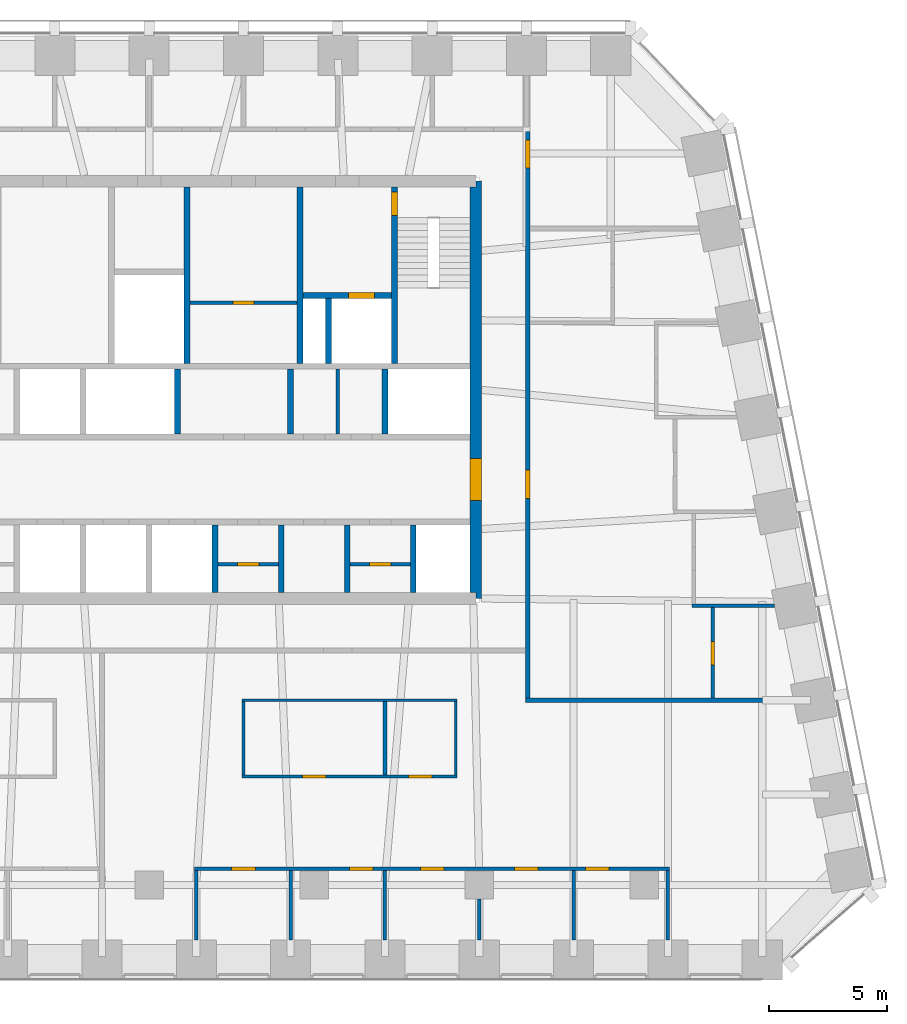
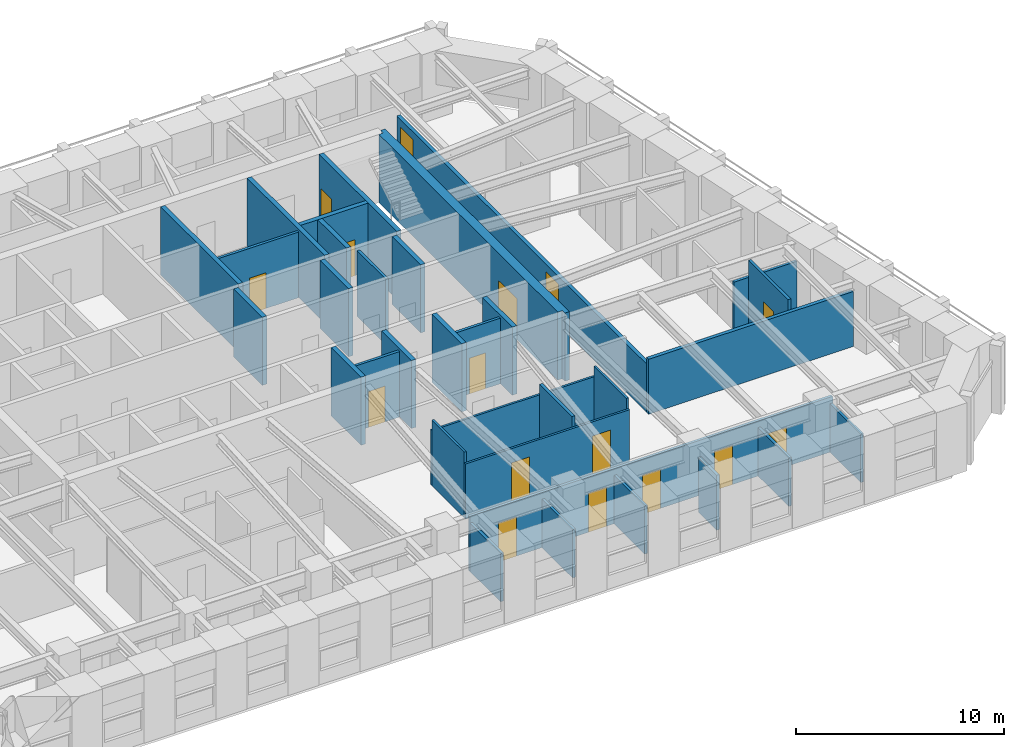
# One storey, part 7 of 11: 33 walls, 16 doors, 16 openings.
"""IFC4 building model written with IfcOpenShell, lengths in metres."""

import ifcopenshell
import ifcopenshell.guid

model = None  # the IFC model being written
_history = None  # IfcOwnerHistory: only IFC2X3 demands one
_inside = {}  # id of a spatial element -> (the spatial element, [elements in it])
_under = {}  # id of a project, library or spatial element -> (it, [spatial elements below it])
_declared = {}  # id of a project -> (the project, [libraries it declares])
_typed = {}  # id of a type object -> (the type object, [elements of that type])
_made_of = {}  # id of a material, layer set ... -> (it, [elements and type objects made of it])


def new_model(schema):
    """Start an empty IFC model of exactly this schema.

    Asked for "IFC4X3", IfcOpenShell would pick the latest addendum, in which some entities
    have other attributes; the version numbers below select the first issue.
    IFC2X3 requires an IfcOwnerHistory on every rooted entity: one is made here for all.
    """
    global model, _history
    if schema == "IFC4X3":
        model = ifcopenshell.file(schema_version=(4, 3, 0, 0))
    else:
        model = ifcopenshell.file(schema=schema)
    _inside.clear()
    _under.clear()
    _declared.clear()
    _typed.clear()
    _made_of.clear()
    _history = None
    if model.schema == "IFC2X3":
        org = make("IfcOrganization", Name="unknown")
        user = make(
            "IfcPersonAndOrganization",
            ThePerson=make("IfcPerson", FamilyName="unknown"),
            TheOrganization=org,
        )
        app = make(
            "IfcApplication",
            ApplicationDeveloper=org,
            Version="unknown",
            ApplicationFullName="unknown",
            ApplicationIdentifier="unknown",
        )
        _history = make(
            "IfcOwnerHistory",
            OwningUser=user,
            OwningApplication=app,
            ChangeAction="ADDED",
            CreationDate=0,
        )
    return model


def make(cls, **values):
    """One entity of the class cls with the attributes given. An attribute that is None is left unset."""
    return model.create_entity(
        cls, **{name: value for name, value in values.items() if value is not None}
    )


def rooted(cls, **values):
    """An entity with a GlobalId (a new one), such as an element, a storey or a relation."""
    return make(cls, GlobalId=ifcopenshell.guid.new(), OwnerHistory=_history, **values)


def si_unit(unit_type, name, prefix=None):
    """IfcSIUnit, for example si_unit("LENGTHUNIT", "METRE", prefix="MILLI")."""
    return make("IfcSIUnit", UnitType=unit_type, Prefix=prefix, Name=name)


def assignment(units):
    """IfcUnitAssignment: the units of a project."""
    return None if units is None else make("IfcUnitAssignment", Units=units)


def point(xyz):
    """IfcCartesianPoint."""
    return None if xyz is None else make("IfcCartesianPoint", Coordinates=xyz)


def direction(xyz):
    """IfcDirection."""
    return None if xyz is None else make("IfcDirection", DirectionRatios=xyz)


def frame(location, z_axis=None, x_axis=None):
    """IfcAxis2Placement3D, a coordinate frame: its origin and axes. An axis left out is left unset."""
    return make(
        "IfcAxis2Placement3D",
        Location=point(location),
        Axis=direction(z_axis),
        RefDirection=direction(x_axis),
    )


def frame_2d(location, x_axis=None):
    """IfcAxis2Placement2D, a coordinate frame in the plane: its origin and x axis."""
    return make(
        "IfcAxis2Placement2D", Location=point(location), RefDirection=direction(x_axis)
    )


def origin():
    """The frame at (0, 0, 0) with its axes left unset."""
    return frame((0.0, 0.0, 0.0))


def place(relative_to, where):
    """IfcLocalPlacement: puts the frame where relative to a parent placement (None: the world)."""
    return make(
        "IfcLocalPlacement", PlacementRelTo=relative_to, RelativePlacement=where
    )


def context(
    kind, dimensions, precision=None, world=None, true_north=None, identifier=None
):
    """IfcGeometricRepresentationContext, for example the 3D "Model" context."""
    return make(
        "IfcGeometricRepresentationContext",
        ContextIdentifier=identifier,
        ContextType=kind,
        CoordinateSpaceDimension=dimensions,
        Precision=precision,
        WorldCoordinateSystem=world,
        TrueNorth=true_north,
    )


def subcontext(parent, identifier, kind, view, scale=None):
    """IfcGeometricRepresentationSubContext, for example "Body" below "Model"."""
    return make(
        "IfcGeometricRepresentationSubContext",
        ContextIdentifier=identifier,
        ContextType=kind,
        ParentContext=parent,
        TargetScale=scale,
        TargetView=view,
    )


def project(units=None, contexts=None):
    """IfcProject with its units and contexts."""
    return rooted(
        "IfcProject",
        Name="project",
        RepresentationContexts=contexts,
        UnitsInContext=assignment(units),
    )


def spatial(cls, under=None, at=None, **own):
    """A site, building, storey or space (cls), placed at a placement, below another one or the project."""
    s = rooted(cls, ObjectPlacement=at, **own)
    if under is not None:
        _under.setdefault(under.id(), (under, []))[1].append(s)
    return s


def polyline(points):
    """IfcPolyline through the points."""
    return make("IfcPolyline", Points=[point(p) for p in points])


def profile(cls, at=None, kind="AREA", **sizes):
    """A parametric profile (cls). Its sizes go by their IFC names, for example OverallWidth=200.0."""
    return make(cls, ProfileType=kind, Position=at, **sizes)


def rectangle(**sizes):
    """IfcRectangleProfileDef."""
    return profile("IfcRectangleProfileDef", **sizes)


def outline(outer, holes=None, kind="AREA"):
    """IfcArbitraryClosedProfileDef: a profile drawn as a closed curve; with holes, ...WithVoids."""
    if holes is None:
        return make("IfcArbitraryClosedProfileDef", ProfileType=kind, OuterCurve=outer)
    return make(
        "IfcArbitraryProfileDefWithVoids",
        ProfileType=kind,
        OuterCurve=outer,
        InnerCurves=holes,
    )


def extrude(swept, where, along, depth):
    """IfcExtrudedAreaSolid: the profile swept, set in the frame where, extruded along a direction by depth."""
    return make(
        "IfcExtrudedAreaSolid",
        SweptArea=swept,
        Position=where,
        ExtrudedDirection=direction(along),
        Depth=depth,
    )


def shape(context_of_items, identifier, shape_type, items):
    """IfcShapeRepresentation: the items that make up one representation, for example the "Body"."""
    return make(
        "IfcShapeRepresentation",
        ContextOfItems=context_of_items,
        RepresentationIdentifier=identifier,
        RepresentationType=shape_type,
        Items=items,
    )


def material(Name=None, Category=None):
    """IfcMaterial."""
    return make("IfcMaterial", Name=Name, Category=Category)


def layer(
    of_material, thickness, ventilated=None, Name=None, Category=None, Priority=None
):
    """IfcMaterialLayer: one layer of a wall or slab, of a material (None: an air gap)."""
    return make(
        "IfcMaterialLayer",
        Material=of_material,
        LayerThickness=thickness,
        IsVentilated=ventilated,
        Name=Name,
        Category=Category,
        Priority=Priority,
    )


def layer_set(layers, Name=None):
    """IfcMaterialLayerSet."""
    return make("IfcMaterialLayerSet", MaterialLayers=layers, LayerSetName=Name)


def made_of(thing, what):
    """Note that an element or type object is made of a material, layer set ...; save() writes the relation."""
    if what is not None:
        _made_of.setdefault(what.id(), (what, []))[1].append(thing)
    return thing


def type_object(cls, material=None, **own):
    """A type object (cls), such as IfcWallType, which elements share."""
    return made_of(rooted(cls, **own), material)


def element(
    cls,
    number,
    at=None,
    inside=None,
    cuts=None,
    type_object=None,
    material=None,
    context=None,
    identifier="Body",
    shape_type=None,
    held_by="IfcProductDefinitionShape",
    body=None,
    shapes=None,
    **own,
):
    """One element of the class cls, such as IfcWall. Its Tag is "e" and its number.

    at: its placement. inside: the storey or other place that contains it. cuts: it is an
    opening in that element (IfcRelVoidsElement). A single representation is given by context,
    identifier, shape_type and body (its items); several are given by shapes. held_by: the class
    of the entity that holds the representations. save() writes the other relations.
    """
    e = rooted(cls, Tag="e%d" % number, ObjectPlacement=at, **own)
    if body is not None:
        shapes = [shape(context, identifier, shape_type, body)]
    if shapes is not None:
        e.Representation = make(held_by, Representations=shapes)
    if inside is not None:
        _inside.setdefault(inside.id(), (inside, []))[1].append(e)
    if cuts is not None:
        rooted(
            "IfcRelVoidsElement", RelatingBuildingElement=cuts, RelatedOpeningElement=e
        )
    if type_object is not None:
        _typed.setdefault(type_object.id(), (type_object, []))[1].append(e)
    return made_of(e, material)


def fill(opening, filler):
    """IfcRelFillsElement: the door or window that sits in an opening."""
    return rooted(
        "IfcRelFillsElement",
        RelatingOpeningElement=opening,
        RelatedBuildingElement=filler,
    )


def aggregate(whole, parts):
    """IfcRelAggregates: a whole, such as a stair, and the parts it consists of."""
    return rooted("IfcRelAggregates", RelatingObject=whole, RelatedObjects=parts)


def save(model, path):
    """Write the relations noted so far, then the file.

    IfcRelAggregates (storeys below a building ...), IfcRelContainedInSpatialStructure (elements
    in a storey), IfcRelDefinesByType, IfcRelAssociatesMaterial and IfcRelDeclares: one each for
    every whole, place, type object, material and project.
    """
    for whole, parts in _under.values():
        aggregate(whole, parts)
    for where, things in _inside.values():
        rooted(
            "IfcRelContainedInSpatialStructure",
            RelatedElements=things,
            RelatingStructure=where,
        )
    for kind, things in _typed.values():
        rooted("IfcRelDefinesByType", RelatedObjects=things, RelatingType=kind)
    for what, things in _made_of.values():
        rooted("IfcRelAssociatesMaterial", RelatedObjects=things, RelatingMaterial=what)
    for by, libraries in _declared.values():
        rooted("IfcRelDeclares", RelatingContext=by, RelatedDefinitions=libraries)
    model.write(path)


model = new_model("IFC4")

# Units and contexts
model_context = context("Model", 3, precision=1e-05, world=origin(), true_north=direction((0.0, 1.0)))
body_context = subcontext(model_context, "Body", "Model", "MODEL_VIEW")
ifc_project = project(units=[si_unit("LENGTHUNIT", "METRE"), si_unit("AREAUNIT", "SQUARE_METRE"), si_unit("VOLUMEUNIT", "CUBIC_METRE"), si_unit("PLANEANGLEUNIT", "RADIAN"), si_unit("MASSUNIT", "GRAM", prefix="KILO")], contexts=[model_context])

# Site, building, storey
site_placement = place(None, origin())
site = spatial("IfcSite", under=ifc_project, at=site_placement, CompositionType="ELEMENT")
building_placement = place(site_placement, origin())
building = spatial("IfcBuilding", under=site, at=building_placement, Name="Isbrekke Arena Tower", CompositionType="ELEMENT")
storey_placement = place(building_placement, frame((0.0, 0.0, 276.0)))
storey = spatial("IfcBuildingStorey", under=building, at=storey_placement, Name="L64", CompositionType="ELEMENT", Elevation=276.0)

# Wall, opening, door
ifc_material_1 = material(Name="Concrete B55 (C55/67)", Category="concrete")
ifc_layer_1 = layer(ifc_material_1, 0.5)
ifc_layer_set_1 = layer_set([ifc_layer_1], Name="CW5 CORE WALL 500")
wall_type_1 = type_object("IfcWallType", Name="CW5 CORE WALL 500", PredefinedType="SHEAR", material=ifc_layer_set_1)
wall_1_placement = place(storey_placement, frame((13.85009765625, 6.14990234375, 0.0), z_axis=(0.0, 0.0, 1.0), x_axis=(0.0, 1.0, 0.0)))
wall_1 = element("IfcWall", 1, at=wall_1_placement, inside=storey, type_object=wall_type_1, Name="Core wall E L64", PredefinedType="SHEAR", context=body_context, shape_type="SweptSolid", body=[
    extrude(outline(polyline([(0.0, -0.25), (17.7001953125, -0.25), (17.7001953125, 0.0), (17.4501953125, 0.0), (17.4501953125, 0.25), (0.25, 0.25), (0.25, 0.0), (0.0, 0.0), (0.0, -0.25)])), origin(), (0.0, 0.0, 1.0), 4.0),
])
opening_1_placement = place(wall_1_placement, frame((4.14990234375, 0.0, 0.0)))
opening_1 = element("IfcOpeningElement", 2, at=opening_1_placement, cuts=wall_1, Name="Opening D1", PredefinedType="OPENING", context=body_context, shape_type="SweptSolid", body=[
    extrude(rectangle(XDim=1.800048828125, YDim=2.39990234375, at=frame_2d((0.89990234375, 1.199951171875))), frame((0.0, 0.264892578125, 0.0), z_axis=(0.0, -1.0, 0.0), x_axis=(1.0, 0.0, 0.0)), (0.0, 0.0, 1.0), 0.52978515625),
])
ifc_material_2 = material(Name="Steel-framed glazed fire door", Category="steel")
door_type_1 = type_object("IfcDoorType", Name="D1 CORE LOBBY DOOR 1800 x 2400", OperationType="DOUBLE_DOOR_SINGLE_SWING", PredefinedType="DOOR", material=ifc_material_2)
door_1_placement = place(opening_1_placement, origin())
door_1 = element("IfcDoor", 3, at=door_1_placement, inside=storey, type_object=door_type_1, Name="D1 lift lobby door east L64", OperationType="DOUBLE_DOOR_SINGLE_SWING", OverallHeight=2.39990234375, OverallWidth=1.800048828125, PredefinedType="DOOR", context=body_context, shape_type="SweptSolid", body=[
    extrude(rectangle(XDim=1.800048828125, YDim=2.39990234375, at=frame_2d((0.89990234375, 1.199951171875))), frame((0.0, 0.249755859375, 0.0), z_axis=(0.0, -1.0, 0.0), x_axis=(1.0, 0.0, 0.0)), (0.0, 0.0, 1.0), 0.49951171875),
])
fill(opening_1, door_1)

# Walls
ifc_material_3 = material(Name="Concrete B45 (C45/55)", Category="concrete")
ifc_layer_2 = layer(ifc_material_3, 0.25)
ifc_layer_set_2 = layer_set([ifc_layer_2], Name="CW6 SHAFT WALL 250")
wall_type_2 = type_object("IfcWallType", Name="CW6 SHAFT WALL 250", PredefinedType="SHEAR", material=ifc_layer_set_2)
for number, where, z_axis, x_axis, name in (
    (4, (2.800048828125, 6.39990234375, 0.0), (0.0, 0.0, 1.0), (0.0, 1.0, 0.0), "Core wall SS06 L64"),
    (5, (5.60009765625, 6.39990234375, 0.0), (0.0, 0.0, 1.0), (0.0, 1.0, 0.0), "Core wall SS07 L64"),
    (6, (8.39990234375, 6.39990234375, 0.0), (0.0, 0.0, 1.0), (0.0, 1.0, 0.0), "Core wall SS08 L64"),
    (7, (11.199951171875, 6.39990234375, 0.0), (0.0, 0.0, 1.0), (0.0, 1.0, 0.0), "Core wall SS09 L64"),
):
    element("IfcWall", number, at=place(storey_placement, frame(where, z_axis=z_axis, x_axis=x_axis)), inside=storey, type_object=wall_type_2, Name=name, PredefinedType="SHEAR", context=body_context, shape_type="SweptSolid", body=[
        extrude(rectangle(XDim=2.875, YDim=0.25, at=frame_2d((1.4375, 0.0))), origin(), (0.0, 0.0, 1.0), 4.0),
    ])
for number, where, z_axis, x_axis, name in (
    (8, (1.199951171875, 13.125, 0.0), (0.0, 0.0, 1.0), (0.0, 1.0, 0.0), "Core wall SN05 L64"),
    (9, (6.0, 13.125, 0.0), (0.0, 0.0, 1.0), (0.0, 1.0, 0.0), "Core wall SN06 L64"),
    (10, (10.0, 13.125, 0.0), (0.0, 0.0, 1.0), (0.0, 1.0, 0.0), "Core wall SN07 L64"),
):
    element("IfcWall", number, at=place(storey_placement, frame(where, z_axis=z_axis, x_axis=x_axis)), inside=storey, type_object=wall_type_2, Name=name, PredefinedType="SHEAR", context=body_context, shape_type="SweptSolid", body=[
        extrude(rectangle(XDim=2.75, YDim=0.25, at=frame_2d((1.375, 0.0))), origin(), (0.0, 0.0, 1.0), 4.0),
    ])
for number, where, z_axis, x_axis, name in (
    (11, (1.60009765625, 16.125, 0.0), (0.0, 0.0, 1.0), (0.0, 1.0, 0.0), "Core wall NV04 L64"),
    (12, (6.39990234375, 16.125, 0.0), (0.0, 0.0, 1.0), (0.0, 1.0, 0.0), "Core wall NV05 L64"),
):
    element("IfcWall", number, at=place(storey_placement, frame(where, z_axis=z_axis, x_axis=x_axis)), inside=storey, type_object=wall_type_2, Name=name, PredefinedType="SHEAR", context=body_context, shape_type="SweptSolid", body=[
        extrude(rectangle(XDim=7.47509765625, YDim=0.25, at=frame_2d((3.737548828125, 0.0))), origin(), (0.0, 0.0, 1.0), 4.0),
    ])

# Wall, opening, door
wall_2_placement = place(storey_placement, frame((10.39990234375, 16.125, 0.0), z_axis=(0.0, 0.0, 1.0), x_axis=(0.0, 1.0, 0.0)))
wall_2 = element("IfcWall", 13, at=wall_2_placement, inside=storey, type_object=wall_type_2, Name="Core wall NV06 L64", PredefinedType="SHEAR", context=body_context, shape_type="SweptSolid", body=[
    extrude(rectangle(XDim=7.47509765625, YDim=0.25, at=frame_2d((3.737548828125, 0.0))), origin(), (0.0, 0.0, 1.0), 4.0),
])
opening_2_placement = place(wall_2_placement, frame((6.27490234375, 0.0, 0.0)))
opening_2 = element("IfcOpeningElement", 14, at=opening_2_placement, cuts=wall_2, Name="Opening D2", PredefinedType="OPENING", context=body_context, shape_type="SweptSolid", body=[
    extrude(rectangle(XDim=1.0, YDim=2.10009765625, at=frame_2d((0.5, 1.050048828125))), frame((0.0, 0.139892578125, 0.0), z_axis=(0.0, -1.0, 0.0), x_axis=(1.0, 0.0, 0.0)), (0.0, 0.0, 1.0), 0.27978515625),
])
ifc_material_4 = material(Name="Steel fire door", Category="steel")
door_type_2 = type_object("IfcDoorType", Name="D2 STAIR DOOR 1000 x 2100", OperationType="SINGLE_SWING_LEFT", PredefinedType="DOOR", material=ifc_material_4)
door_2_placement = place(opening_2_placement, origin())
door_2 = element("IfcDoor", 15, at=door_2_placement, inside=storey, type_object=door_type_2, Name="D2 stair door ST2 L64", OperationType="SINGLE_SWING_LEFT", OverallHeight=2.10009765625, OverallWidth=1.0, PredefinedType="DOOR", context=body_context, shape_type="SweptSolid", body=[
    extrude(rectangle(XDim=1.0, YDim=2.10009765625, at=frame_2d((0.5, 1.050048828125))), frame((0.0, 0.124755859375, 0.0), z_axis=(0.0, -1.0, 0.0), x_axis=(1.0, 0.0, 0.0)), (0.0, 0.0, 1.0), 0.24951171875),
])
fill(opening_2, door_2)

wall_3_placement = place(storey_placement, frame((6.52490234375, 19.0, 0.0), z_axis=(0.0, 0.0, 1.0), x_axis=(1.0, 0.0, 0.0)))
wall_3 = element("IfcWall", 16, at=wall_3_placement, inside=storey, type_object=wall_type_2, Name="Core wall NFE L64", PredefinedType="SHEAR", context=body_context, shape_type="SweptSolid", body=[
    extrude(rectangle(XDim=3.75, YDim=0.25, at=frame_2d((1.875, 0.0))), origin(), (0.0, 0.0, 1.0), 4.0),
])
opening_3_placement = place(wall_3_placement, frame((1.925048828125, 0.0, 0.0)))
opening_3 = element("IfcOpeningElement", 17, at=opening_3_placement, cuts=wall_3, Name="Opening LD2", PredefinedType="OPENING", context=body_context, shape_type="SweptSolid", body=[
    extrude(rectangle(XDim=1.10009765625, YDim=2.10009765625, at=frame_2d((0.550048828125, 1.050048828125))), frame((0.0, 0.139892578125, 0.0), z_axis=(0.0, -1.0, 0.0), x_axis=(1.0, 0.0, 0.0)), (0.0, 0.0, 1.0), 0.27978515625),
])
ifc_material_5 = material(Name="Stainless steel lift landing door", Category="steel")
door_type_3 = type_object("IfcDoorType", Name="LD2 FIRE-FIGHTING LIFT LANDING DOOR 1100 x 2100", OperationType="SLIDING_TO_RIGHT", PredefinedType="DOOR", material=ifc_material_5)
door_3_placement = place(opening_3_placement, origin())
door_3 = element("IfcDoor", 18, at=door_3_placement, inside=storey, type_object=door_type_3, Name="LD2 lift landing door LF L64", OperationType="SLIDING_TO_RIGHT", OverallHeight=2.10009765625, OverallWidth=1.10009765625, PredefinedType="DOOR", context=body_context, shape_type="SweptSolid", body=[
    extrude(rectangle(XDim=1.10009765625, YDim=2.10009765625, at=frame_2d((0.550048828125, 1.050048828125))), frame((0.0, 0.124755859375, 0.0), z_axis=(0.0, -1.0, 0.0), x_axis=(1.0, 0.0, 0.0)), (0.0, 0.0, 1.0), 0.24951171875),
])
fill(opening_3, door_3)

# Wall
wall_4_placement = place(storey_placement, frame((7.60009765625, 16.125, 0.0), z_axis=(0.0, 0.0, 1.0), x_axis=(0.0, 1.0, 0.0)))
element("IfcWall", 19, at=wall_4_placement, inside=storey, type_object=wall_type_2, Name="Core wall NFS2 L64", PredefinedType="SHEAR", context=body_context, shape_type="SweptSolid", body=[
    extrude(rectangle(XDim=2.75, YDim=0.25, at=frame_2d((1.375, 0.0))), origin(), (0.0, 0.0, 1.0), 4.0),
])

# Wall, openings, doors
ifc_material_6 = material(Name="Gypsum board partition on steel studs", Category="steel")
ifc_layer_3 = layer(ifc_material_6, 0.14990234375)
ifc_layer_set_3 = layer_set([ifc_layer_3], Name="IW1 PARTITION 150")
wall_type_3 = type_object("IfcWallType", Name="IW1 PARTITION 150", PredefinedType="PARTITIONING", material=ifc_layer_set_3)
wall_5_placement = place(storey_placement, frame((1.925048828125, -5.300048828125, 0.0), z_axis=(0.0, 0.0, 1.0), x_axis=(1.0, 0.0, 0.0)))
wall_5 = element("IfcWall", 20, at=wall_5_placement, inside=storey, type_object=wall_type_3, Name="IW1 partition 150 L64", PredefinedType="PARTITIONING", context=body_context, shape_type="SweptSolid", body=[
    extrude(rectangle(XDim=20.14990234375, YDim=0.14990234375, at=frame_2d((10.074951171875, 0.0))), origin(), (0.0, 0.0, 1.0), 3.22998046875),
])
opening_4_placement = place(wall_5_placement, frame((1.574951171875, 0.0, 0.0)))
opening_4 = element("IfcOpeningElement", 21, at=opening_4_placement, cuts=wall_5, Name="Opening D10", PredefinedType="OPENING", context=body_context, shape_type="SweptSolid", body=[
    extrude(rectangle(XDim=1.0, YDim=2.300048828125, at=frame_2d((0.5, 1.14990234375))), frame((0.0, 0.08984375, 0.0), z_axis=(0.0, -1.0, 0.0), x_axis=(1.0, 0.0, 0.0)), (0.0, 0.0, 1.0), 0.1796875),
])
opening_5_placement = place(wall_5_placement, frame((6.574951171875, 0.0, 0.0)))
opening_5 = element("IfcOpeningElement", 22, at=opening_5_placement, cuts=wall_5, Name="Opening D10", PredefinedType="OPENING", context=body_context, shape_type="SweptSolid", body=[
    extrude(rectangle(XDim=1.0, YDim=2.300048828125, at=frame_2d((0.5, 1.14990234375))), frame((0.0, 0.08984375, 0.0), z_axis=(0.0, -1.0, 0.0), x_axis=(1.0, 0.0, 0.0)), (0.0, 0.0, 1.0), 0.1796875),
])
opening_6_placement = place(wall_5_placement, frame((9.574951171875, 0.0, 0.0)))
opening_6 = element("IfcOpeningElement", 23, at=opening_6_placement, cuts=wall_5, Name="Opening D10", PredefinedType="OPENING", context=body_context, shape_type="SweptSolid", body=[
    extrude(rectangle(XDim=1.0, YDim=2.300048828125, at=frame_2d((0.5, 1.14990234375))), frame((0.0, 0.08984375, 0.0), z_axis=(0.0, -1.0, 0.0), x_axis=(1.0, 0.0, 0.0)), (0.0, 0.0, 1.0), 0.1796875),
])
opening_7_placement = place(wall_5_placement, frame((13.574951171875, 0.0, 0.0)))
opening_7 = element("IfcOpeningElement", 24, at=opening_7_placement, cuts=wall_5, Name="Opening D10", PredefinedType="OPENING", context=body_context, shape_type="SweptSolid", body=[
    extrude(rectangle(XDim=1.0, YDim=2.300048828125, at=frame_2d((0.5, 1.14990234375))), frame((0.0, 0.08984375, 0.0), z_axis=(0.0, -1.0, 0.0), x_axis=(1.0, 0.0, 0.0)), (0.0, 0.0, 1.0), 0.1796875),
])
opening_8_placement = place(wall_5_placement, frame((16.574951171875, 0.0, 0.0)))
opening_8 = element("IfcOpeningElement", 25, at=opening_8_placement, cuts=wall_5, Name="Opening D10", PredefinedType="OPENING", context=body_context, shape_type="SweptSolid", body=[
    extrude(rectangle(XDim=1.0, YDim=2.300048828125, at=frame_2d((0.5, 1.14990234375))), frame((0.0, 0.08984375, 0.0), z_axis=(0.0, -1.0, 0.0), x_axis=(1.0, 0.0, 0.0)), (0.0, 0.0, 1.0), 0.1796875),
])
ifc_material_7 = material(Name="Timber door", Category="wood")
door_type_4 = type_object("IfcDoorType", Name="D10 OFFICE DOOR 1000 x 2300", OperationType="SINGLE_SWING_LEFT", PredefinedType="DOOR", material=ifc_material_7)
door_4_placement = place(opening_4_placement, origin())
door_4 = element("IfcDoor", 26, at=door_4_placement, inside=storey, type_object=door_type_4, Name="D10 office door L64", OperationType="SINGLE_SWING_LEFT", OverallHeight=2.300048828125, OverallWidth=1.0, PredefinedType="DOOR", context=body_context, shape_type="SweptSolid", body=[
    extrude(rectangle(XDim=1.0, YDim=2.300048828125, at=frame_2d((0.5, 1.14990234375))), frame((0.0, 0.07470703125, 0.0), z_axis=(0.0, -1.0, 0.0), x_axis=(1.0, 0.0, 0.0)), (0.0, 0.0, 1.0), 0.1494140625),
])
fill(opening_4, door_4)
door_5_placement = place(opening_5_placement, origin())
door_5 = element("IfcDoor", 27, at=door_5_placement, inside=storey, type_object=door_type_4, Name="D10 office door L64", OperationType="SINGLE_SWING_LEFT", OverallHeight=2.300048828125, OverallWidth=1.0, PredefinedType="DOOR", context=body_context, shape_type="SweptSolid", body=[
    extrude(rectangle(XDim=1.0, YDim=2.300048828125, at=frame_2d((0.5, 1.14990234375))), frame((0.0, 0.07470703125, 0.0), z_axis=(0.0, -1.0, 0.0), x_axis=(1.0, 0.0, 0.0)), (0.0, 0.0, 1.0), 0.1494140625),
])
fill(opening_5, door_5)
door_6_placement = place(opening_6_placement, origin())
door_6 = element("IfcDoor", 28, at=door_6_placement, inside=storey, type_object=door_type_4, Name="D10 office door L64", OperationType="SINGLE_SWING_LEFT", OverallHeight=2.300048828125, OverallWidth=1.0, PredefinedType="DOOR", context=body_context, shape_type="SweptSolid", body=[
    extrude(rectangle(XDim=1.0, YDim=2.300048828125, at=frame_2d((0.5, 1.14990234375))), frame((0.0, 0.07470703125, 0.0), z_axis=(0.0, -1.0, 0.0), x_axis=(1.0, 0.0, 0.0)), (0.0, 0.0, 1.0), 0.1494140625),
])
fill(opening_6, door_6)
door_7_placement = place(opening_7_placement, origin())
door_7 = element("IfcDoor", 29, at=door_7_placement, inside=storey, type_object=door_type_4, Name="D10 office door L64", OperationType="SINGLE_SWING_LEFT", OverallHeight=2.300048828125, OverallWidth=1.0, PredefinedType="DOOR", context=body_context, shape_type="SweptSolid", body=[
    extrude(rectangle(XDim=1.0, YDim=2.300048828125, at=frame_2d((0.5, 1.14990234375))), frame((0.0, 0.07470703125, 0.0), z_axis=(0.0, -1.0, 0.0), x_axis=(1.0, 0.0, 0.0)), (0.0, 0.0, 1.0), 0.1494140625),
])
fill(opening_7, door_7)
door_8_placement = place(opening_8_placement, origin())
door_8 = element("IfcDoor", 30, at=door_8_placement, inside=storey, type_object=door_type_4, Name="D10 office door L64", OperationType="SINGLE_SWING_LEFT", OverallHeight=2.300048828125, OverallWidth=1.0, PredefinedType="DOOR", context=body_context, shape_type="SweptSolid", body=[
    extrude(rectangle(XDim=1.0, YDim=2.300048828125, at=frame_2d((0.5, 1.14990234375))), frame((0.0, 0.07470703125, 0.0), z_axis=(0.0, -1.0, 0.0), x_axis=(1.0, 0.0, 0.0)), (0.0, 0.0, 1.0), 0.1494140625),
])
fill(opening_8, door_8)

# Walls
wall_6_placement = place(storey_placement, frame((23.02490234375, 5.840087890625, 0.0), z_axis=(0.0, 0.0, 1.0), x_axis=(1.0, 0.0, 0.0)))
element("IfcWall", 31, at=wall_6_placement, inside=storey, type_object=wall_type_3, Name="IW1 partition 150 L64", PredefinedType="PARTITIONING", context=body_context, shape_type="SweptSolid", body=[
    extrude(rectangle(XDim=3.498779296875, YDim=0.14990234375, at=frame_2d((1.74951171875, 0.0))), origin(), (0.0, 0.0, 1.0), 2.842041015625),
])
for number, where, z_axis, x_axis, name in (
    (32, (2.0, -8.324951171875, 0.0), (0.0, 0.0, 1.0), (0.0, 1.0, 0.0), "IW1 partition 150 L64"),
    (33, (6.0, -8.324951171875, 0.0), (0.0, 0.0, 1.0), (0.0, 1.0, 0.0), "IW1 partition 150 L64"),
    (34, (10.0, -8.324951171875, 0.0), (0.0, 0.0, 1.0), (0.0, 1.0, 0.0), "IW1 partition 150 L64"),
):
    element("IfcWall", number, at=place(storey_placement, frame(where, z_axis=z_axis, x_axis=x_axis)), inside=storey, type_object=wall_type_3, Name=name, PredefinedType="PARTITIONING", context=body_context, shape_type="SweptSolid", body=[
        extrude(rectangle(XDim=2.949951171875, YDim=0.14990234375, at=frame_2d((1.47509765625, 0.0))), origin(), (0.0, 0.0, 1.0), 2.842041015625),
    ])
wall_7_placement = place(storey_placement, frame((14.0, -8.324951171875, 0.0), z_axis=(0.0, 0.0, 1.0), x_axis=(0.0, 1.0, 0.0)))
element("IfcWall", 35, at=wall_7_placement, inside=storey, type_object=wall_type_3, Name="IW1 partition 150 L64", PredefinedType="PARTITIONING", context=body_context, shape_type="SweptSolid", body=[
    extrude(rectangle(XDim=1.724853515625, YDim=0.14990234375, at=frame_2d((0.8623046875, 0.0))), origin(), (0.0, 0.0, 1.0), 3.22998046875),
])
for number, where, z_axis, x_axis, name in (
    (36, (18.0, -8.324951171875, 0.0), (0.0, 0.0, 1.0), (0.0, 1.0, 0.0), "IW1 partition 150 L64"),
    (37, (22.0, -8.324951171875, 0.0), (0.0, 0.0, 1.0), (0.0, 1.0, 0.0), "IW1 partition 150 L64"),
):
    element("IfcWall", number, at=place(storey_placement, frame(where, z_axis=z_axis, x_axis=x_axis)), inside=storey, type_object=wall_type_3, Name=name, PredefinedType="PARTITIONING", context=body_context, shape_type="SweptSolid", body=[
        extrude(rectangle(XDim=2.949951171875, YDim=0.14990234375, at=frame_2d((1.47509765625, 0.0))), origin(), (0.0, 0.0, 1.0), 2.842041015625),
    ])

# Wall, opening, door
wall_8_placement = place(storey_placement, frame((23.89990234375, 1.93994140625, 0.0), z_axis=(0.0, 0.0, 1.0), x_axis=(0.0, 1.0, 0.0)))
wall_8 = element("IfcWall", 38, at=wall_8_placement, inside=storey, type_object=wall_type_3, Name="IW1 partition 150 L64", PredefinedType="PARTITIONING", context=body_context, shape_type="SweptSolid", body=[
    extrude(rectangle(XDim=3.824951171875, YDim=0.14990234375, at=frame_2d((1.91259765625, 0.0))), origin(), (0.0, 0.0, 1.0), 3.85009765625),
])
opening_9_placement = place(wall_8_placement, frame((1.39990234375, 0.0, 0.0)))
opening_9 = element("IfcOpeningElement", 39, at=opening_9_placement, cuts=wall_8, Name="Opening D10", PredefinedType="OPENING", context=body_context, shape_type="SweptSolid", body=[
    extrude(rectangle(XDim=1.0, YDim=2.300048828125, at=frame_2d((0.5, 1.14990234375))), frame((0.0, 0.08984375, 0.0), z_axis=(0.0, -1.0, 0.0), x_axis=(1.0, 0.0, 0.0)), (0.0, 0.0, 1.0), 0.1796875),
])
door_9_placement = place(opening_9_placement, origin())
door_9 = element("IfcDoor", 40, at=door_9_placement, inside=storey, type_object=door_type_4, Name="D10 office door L64", OperationType="SINGLE_SWING_LEFT", OverallHeight=2.300048828125, OverallWidth=1.0, PredefinedType="DOOR", context=body_context, shape_type="SweptSolid", body=[
    extrude(rectangle(XDim=1.0, YDim=2.300048828125, at=frame_2d((0.5, 1.14990234375))), frame((0.0, 0.07470703125, 0.0), z_axis=(0.0, -1.0, 0.0), x_axis=(1.0, 0.0, 0.0)), (0.0, 0.0, 1.0), 0.1494140625),
])
fill(opening_9, door_9)

# Wall, openings, doors
ifc_material_8 = material(Name="Frameless glazed partition, laminated acoustic glass", Category="glass")
ifc_layer_4 = layer(ifc_material_8, 0.1201171875)
ifc_layer_set_4 = layer_set([ifc_layer_4], Name="IW2 GLAZED PARTITION 120")
wall_type_4 = type_object("IfcWallType", Name="IW2 GLAZED PARTITION 120", PredefinedType="PARTITIONING", material=ifc_layer_set_4)
wall_9_placement = place(storey_placement, frame((3.93994140625, -1.39990234375, 0.0), z_axis=(0.0, 0.0, 1.0), x_axis=(1.0, 0.0, 0.0)))
wall_9 = element("IfcWall", 41, at=wall_9_placement, inside=storey, type_object=wall_type_4, Name="IW2 glazed partition 120 L64", PredefinedType="PARTITIONING", context=body_context, shape_type="SweptSolid", body=[
    extrude(rectangle(XDim=9.1201171875, YDim=0.1201171875, at=frame_2d((4.56005859375, 0.0))), origin(), (0.0, 0.0, 1.0), 3.22998046875),
])
opening_10_placement = place(wall_9_placement, frame((2.56005859375, 0.0, 0.0)))
opening_10 = element("IfcOpeningElement", 42, at=opening_10_placement, cuts=wall_9, Name="Opening D11", PredefinedType="OPENING", context=body_context, shape_type="SweptSolid", body=[
    extrude(rectangle(XDim=1.0, YDim=2.39990234375, at=frame_2d((0.5, 1.199951171875))), frame((0.0, 0.074951171875, 0.0), z_axis=(0.0, -1.0, 0.0), x_axis=(1.0, 0.0, 0.0)), (0.0, 0.0, 1.0), 0.14990234375),
])
opening_11_placement = place(wall_9_placement, frame((7.06005859375, 0.0, 0.0)))
opening_11 = element("IfcOpeningElement", 43, at=opening_11_placement, cuts=wall_9, Name="Opening D11", PredefinedType="OPENING", context=body_context, shape_type="SweptSolid", body=[
    extrude(rectangle(XDim=1.0, YDim=2.39990234375, at=frame_2d((0.5, 1.199951171875))), frame((0.0, 0.074951171875, 0.0), z_axis=(0.0, -1.0, 0.0), x_axis=(1.0, 0.0, 0.0)), (0.0, 0.0, 1.0), 0.14990234375),
])
ifc_material_9 = material(Name="Frameless glazed door", Category="glass")
door_type_5 = type_object("IfcDoorType", Name="D11 GLAZED MEETING ROOM DOOR 1000 x 2400", OperationType="SINGLE_SWING_RIGHT", PredefinedType="DOOR", material=ifc_material_9)
door_10_placement = place(opening_10_placement, origin())
door_10 = element("IfcDoor", 44, at=door_10_placement, inside=storey, type_object=door_type_5, Name="D11 meeting room door L64", OperationType="SINGLE_SWING_RIGHT", OverallHeight=2.39990234375, OverallWidth=1.0, PredefinedType="DOOR", context=body_context, shape_type="SweptSolid", body=[
    extrude(rectangle(XDim=1.0, YDim=2.39990234375, at=frame_2d((0.5, 1.199951171875))), frame((0.0, 0.059814453125, 0.0), z_axis=(0.0, -1.0, 0.0), x_axis=(1.0, 0.0, 0.0)), (0.0, 0.0, 1.0), 0.11962890625),
])
fill(opening_10, door_10)
door_11_placement = place(opening_11_placement, origin())
door_11 = element("IfcDoor", 45, at=door_11_placement, inside=storey, type_object=door_type_5, Name="D11 quiet room door L64", OperationType="SINGLE_SWING_RIGHT", OverallHeight=2.39990234375, OverallWidth=1.0, PredefinedType="DOOR", context=body_context, shape_type="SweptSolid", body=[
    extrude(rectangle(XDim=1.0, YDim=2.39990234375, at=frame_2d((0.5, 1.199951171875))), frame((0.0, 0.059814453125, 0.0), z_axis=(0.0, -1.0, 0.0), x_axis=(1.0, 0.0, 0.0)), (0.0, 0.0, 1.0), 0.11962890625),
])
fill(opening_11, door_11)

# Walls
wall_10_placement = place(storey_placement, frame((3.93994140625, 1.840087890625, 0.0), z_axis=(0.0, 0.0, 1.0), x_axis=(1.0, 0.0, 0.0)))
element("IfcWall", 46, at=wall_10_placement, inside=storey, type_object=wall_type_4, Name="IW2 glazed partition 120 L64", PredefinedType="PARTITIONING", context=body_context, shape_type="SweptSolid", body=[
    extrude(rectangle(XDim=9.1201171875, YDim=0.1201171875, at=frame_2d((4.56005859375, 0.0))), origin(), (0.0, 0.0, 1.0), 3.22998046875),
])
for number, where, z_axis, x_axis, name in (
    (47, (4.0, -1.340087890625, 0.0), (0.0, 0.0, 1.0), (0.0, 1.0, 0.0), "IW2 glazed partition 120 L64"),
    (48, (13.0, -1.340087890625, 0.0), (0.0, 0.0, 1.0), (0.0, 1.0, 0.0), "IW2 glazed partition 120 L64"),
):
    element("IfcWall", number, at=place(storey_placement, frame(where, z_axis=z_axis, x_axis=x_axis)), inside=storey, type_object=wall_type_4, Name=name, PredefinedType="PARTITIONING", context=body_context, shape_type="SweptSolid", body=[
        extrude(rectangle(XDim=3.1201171875, YDim=0.1201171875, at=frame_2d((1.56005859375, 0.0))), origin(), (0.0, 0.0, 1.0), 3.85009765625),
    ])
ifc_material_10 = material(Name="Gypsum board fire-cell wall on steel studs, two layers each side", Category="steel")
ifc_layer_5 = layer(ifc_material_10, 0.199951171875)
ifc_layer_set_5 = layer_set([ifc_layer_5], Name="IW3 FIRE-CELL WALL 200")
wall_type_5 = type_object("IfcWallType", Name="IW3 FIRE-CELL WALL 200", PredefinedType="PARTITIONING", material=ifc_layer_set_5)
wall_11_placement = place(storey_placement, frame((15.949951171875, 1.840087890625, 0.0), z_axis=(0.0, 0.0, 1.0), x_axis=(1.0, 0.0, 0.0)))
element("IfcWall", 49, at=wall_11_placement, inside=storey, type_object=wall_type_5, Name="IW3 fire-cell wall 200 L64", PredefinedType="PARTITIONING", context=body_context, shape_type="SweptSolid", body=[
    extrude(rectangle(XDim=11.373779296875, YDim=0.199951171875, at=frame_2d((5.68701171875, 0.0))), origin(), (0.0, 0.0, 1.0), 3.22998046875),
])

# Wall, openings, doors
wall_12_placement = place(storey_placement, frame((16.050048828125, 1.93994140625, 0.0), z_axis=(0.0, 0.0, 1.0), x_axis=(0.0, 1.0, 0.0)))
wall_12 = element("IfcWall", 50, at=wall_12_placement, inside=storey, type_object=wall_type_5, Name="IW3 fire-cell wall 200 L64", PredefinedType="PARTITIONING", context=body_context, shape_type="SweptSolid", body=[
    extrude(rectangle(XDim=24.010009765625, YDim=0.199951171875, at=frame_2d((12.0048828125, 0.0))), origin(), (0.0, 0.0, 1.0), 2.842041015625),
])
opening_12_placement = place(wall_12_placement, frame((8.4599609375, 0.0, 0.0)))
opening_12 = element("IfcOpeningElement", 51, at=opening_12_placement, cuts=wall_12, Name="Opening D12", PredefinedType="OPENING", context=body_context, shape_type="SweptSolid", body=[
    extrude(rectangle(XDim=1.199951171875, YDim=2.39990234375, at=frame_2d((0.60009765625, 1.199951171875))), frame((0.0, 0.11474609375, 0.0), z_axis=(0.0, -1.0, 0.0), x_axis=(1.0, 0.0, 0.0)), (0.0, 0.0, 1.0), 0.229736328125),
])
opening_13_placement = place(wall_12_placement, frame((22.4599609375, 0.0, 0.0)))
opening_13 = element("IfcOpeningElement", 52, at=opening_13_placement, cuts=wall_12, Name="Opening D12", PredefinedType="OPENING", context=body_context, shape_type="SweptSolid", body=[
    extrude(rectangle(XDim=1.199951171875, YDim=2.39990234375, at=frame_2d((0.60009765625, 1.199951171875))), frame((0.0, 0.11474609375, 0.0), z_axis=(0.0, -1.0, 0.0), x_axis=(1.0, 0.0, 0.0)), (0.0, 0.0, 1.0), 0.229736328125),
])
ifc_material_11 = material(Name="Timber fire door with vision panel", Category="wood")
door_type_6 = type_object("IfcDoorType", Name="D12 SUITE ENTRANCE DOOR 1200 x 2400", OperationType="SINGLE_SWING_LEFT", PredefinedType="DOOR", material=ifc_material_11)
door_12_placement = place(opening_12_placement, origin())
door_12 = element("IfcDoor", 53, at=door_12_placement, inside=storey, type_object=door_type_6, Name="D12 suite entrance E door L64", OperationType="SINGLE_SWING_LEFT", OverallHeight=2.39990234375, OverallWidth=1.199951171875, PredefinedType="DOOR", context=body_context, shape_type="SweptSolid", body=[
    extrude(rectangle(XDim=1.199951171875, YDim=2.39990234375, at=frame_2d((0.60009765625, 1.199951171875))), frame((0.0, 0.099609375, 0.0), z_axis=(0.0, -1.0, 0.0), x_axis=(1.0, 0.0, 0.0)), (0.0, 0.0, 1.0), 0.199462890625),
])
fill(opening_12, door_12)
door_13_placement = place(opening_13_placement, origin())
door_13 = element("IfcDoor", 54, at=door_13_placement, inside=storey, type_object=door_type_6, Name="D12 suite entrance NCE door L64", OperationType="SINGLE_SWING_LEFT", OverallHeight=2.39990234375, OverallWidth=1.199951171875, PredefinedType="DOOR", context=body_context, shape_type="SweptSolid", body=[
    extrude(rectangle(XDim=1.199951171875, YDim=2.39990234375, at=frame_2d((0.60009765625, 1.199951171875))), frame((0.0, 0.099609375, 0.0), z_axis=(0.0, -1.0, 0.0), x_axis=(1.0, 0.0, 0.0)), (0.0, 0.0, 1.0), 0.199462890625),
])
fill(opening_13, door_13)

# Wall
ifc_material_12 = material(Name="Gypsum board acoustic partition on twin steel studs", Category="steel")
ifc_layer_6 = layer(ifc_material_12, 0.175048828125)
ifc_layer_set_6 = layer_set([ifc_layer_6], Name="IW4 ACOUSTIC PARTITION 175")
wall_type_6 = type_object("IfcWallType", Name="IW4 ACOUSTIC PARTITION 175", PredefinedType="PARTITIONING", material=ifc_layer_set_6)
wall_13_placement = place(storey_placement, frame((10.0, -1.340087890625, 0.0), z_axis=(0.0, 0.0, 1.0), x_axis=(0.0, 1.0, 0.0)))
element("IfcWall", 55, at=wall_13_placement, inside=storey, type_object=wall_type_6, Name="IW4 acoustic partition 175 L64", PredefinedType="PARTITIONING", context=body_context, shape_type="SweptSolid", body=[
    extrude(rectangle(XDim=3.1201171875, YDim=0.175048828125, at=frame_2d((1.56005859375, 0.0))), origin(), (0.0, 0.0, 1.0), 3.85009765625),
])

# Wall, opening, door
ifc_material_13 = material(Name="Gypsum board fire-rated partition on steel studs, two layers each side", Category="steel")
ifc_layer_7 = layer(ifc_material_13, 0.14990234375)
ifc_layer_set_7 = layer_set([ifc_layer_7], Name="IW5 FIRE-RATED PARTITION 150")
wall_type_7 = type_object("IfcWallType", Name="IW5 FIRE-RATED PARTITION 150", PredefinedType="PARTITIONING", material=ifc_layer_set_7)
wall_14_placement = place(storey_placement, frame((1.72509765625, 18.699951171875, 0.0), z_axis=(0.0, 0.0, 1.0), x_axis=(1.0, 0.0, 0.0)))
wall_14 = element("IfcWall", 56, at=wall_14_placement, inside=storey, type_object=wall_type_7, Name="IW5 fire-rated partition L64 cleaner's store M", PredefinedType="PARTITIONING", context=body_context, shape_type="SweptSolid", body=[
    extrude(rectangle(XDim=4.5498046875, YDim=0.14990234375, at=frame_2d((2.27490234375, 0.0))), origin(), (0.0, 0.0, 1.0), 3.85009765625),
])
opening_14_placement = place(wall_14_placement, frame((1.824951171875, 0.0, 0.0)))
opening_14 = element("IfcOpeningElement", 57, at=opening_14_placement, cuts=wall_14, Name="Opening D5", PredefinedType="OPENING", context=body_context, shape_type="SweptSolid", body=[
    extrude(rectangle(XDim=0.89990234375, YDim=2.10009765625, at=frame_2d((0.449951171875, 1.050048828125))), frame((0.0, 0.08984375, 0.0), z_axis=(0.0, -1.0, 0.0), x_axis=(1.0, 0.0, 0.0)), (0.0, 0.0, 1.0), 0.1796875),
])
ifc_material_14 = material(Name="Steel fire door", Category="steel")
door_type_7 = type_object("IfcDoorType", Name="D5 SERVICE DOOR 900 x 2100", OperationType="SINGLE_SWING_LEFT", PredefinedType="DOOR", material=ifc_material_14)
door_14_placement = place(opening_14_placement, origin())
door_14 = element("IfcDoor", 58, at=door_14_placement, inside=storey, type_object=door_type_7, Name="D5 cleaner's store door L64", OperationType="SINGLE_SWING_LEFT", OverallHeight=2.10009765625, OverallWidth=0.89990234375, PredefinedType="DOOR", context=body_context, shape_type="SweptSolid", body=[
    extrude(rectangle(XDim=0.89990234375, YDim=2.10009765625, at=frame_2d((0.449951171875, 1.050048828125))), frame((0.0, 0.07470703125, 0.0), z_axis=(0.0, -1.0, 0.0), x_axis=(1.0, 0.0, 0.0)), (0.0, 0.0, 1.0), 0.1494140625),
])
fill(opening_14, door_14)

# Wall
wall_15_placement = place(storey_placement, frame((8.0, 13.125, 0.0), z_axis=(0.0, 0.0, 1.0), x_axis=(0.0, 1.0, 0.0)))
element("IfcWall", 59, at=wall_15_placement, inside=storey, type_object=wall_type_7, Name="IW5 fire-rated partition L64 core service rooms 1", PredefinedType="PARTITIONING", context=body_context, shape_type="SweptSolid", body=[
    extrude(rectangle(XDim=2.75, YDim=0.14990234375, at=frame_2d((1.375, 0.0))), origin(), (0.0, 0.0, 1.0), 3.85009765625),
])

# Wall, opening, door
wall_16_placement = place(storey_placement, frame((2.925048828125, 7.60009765625, 0.0), z_axis=(0.0, 0.0, 1.0), x_axis=(1.0, 0.0, 0.0)))
wall_16 = element("IfcWall", 60, at=wall_16_placement, inside=storey, type_object=wall_type_7, Name="IW5 fire-rated partition L64 core service rooms 5", PredefinedType="PARTITIONING", context=body_context, shape_type="SweptSolid", body=[
    extrude(rectangle(XDim=2.550048828125, YDim=0.14990234375, at=frame_2d((1.27490234375, 0.0))), origin(), (0.0, 0.0, 1.0), 3.85009765625),
])
opening_15_placement = place(wall_16_placement, frame((0.824951171875, 0.0, 0.0)))
opening_15 = element("IfcOpeningElement", 61, at=opening_15_placement, cuts=wall_16, Name="Opening D5", PredefinedType="OPENING", context=body_context, shape_type="SweptSolid", body=[
    extrude(rectangle(XDim=0.89990234375, YDim=2.10009765625, at=frame_2d((0.449951171875, 1.050048828125))), frame((0.0, 0.08984375, 0.0), z_axis=(0.0, -1.0, 0.0), x_axis=(1.0, 0.0, 0.0)), (0.0, 0.0, 1.0), 0.1796875),
])
door_15_placement = place(opening_15_placement, origin())
door_15 = element("IfcDoor", 62, at=door_15_placement, inside=storey, type_object=door_type_7, Name="D5 archive door L64", OperationType="SINGLE_SWING_LEFT", OverallHeight=2.10009765625, OverallWidth=0.89990234375, PredefinedType="DOOR", context=body_context, shape_type="SweptSolid", body=[
    extrude(rectangle(XDim=0.89990234375, YDim=2.10009765625, at=frame_2d((0.449951171875, 1.050048828125))), frame((0.0, 0.07470703125, 0.0), z_axis=(0.0, -1.0, 0.0), x_axis=(1.0, 0.0, 0.0)), (0.0, 0.0, 1.0), 0.1494140625),
])
fill(opening_15, door_15)

wall_17_placement = place(storey_placement, frame((8.52490234375, 7.60009765625, 0.0), z_axis=(0.0, 0.0, 1.0), x_axis=(1.0, 0.0, 0.0)))
wall_17 = element("IfcWall", 63, at=wall_17_placement, inside=storey, type_object=wall_type_7, Name="IW5 fire-rated partition L64 core service rooms 6", PredefinedType="PARTITIONING", context=body_context, shape_type="SweptSolid", body=[
    extrude(rectangle(XDim=2.550048828125, YDim=0.14990234375, at=frame_2d((1.27490234375, 0.0))), origin(), (0.0, 0.0, 1.0), 3.85009765625),
])
opening_16_placement = place(wall_17_placement, frame((0.824951171875, 0.0, 0.0)))
opening_16 = element("IfcOpeningElement", 64, at=opening_16_placement, cuts=wall_17, Name="Opening D5", PredefinedType="OPENING", context=body_context, shape_type="SweptSolid", body=[
    extrude(rectangle(XDim=0.89990234375, YDim=2.10009765625, at=frame_2d((0.449951171875, 1.050048828125))), frame((0.0, 0.08984375, 0.0), z_axis=(0.0, -1.0, 0.0), x_axis=(1.0, 0.0, 0.0)), (0.0, 0.0, 1.0), 0.1796875),
])
door_16_placement = place(opening_16_placement, origin())
door_16 = element("IfcDoor", 65, at=door_16_placement, inside=storey, type_object=door_type_7, Name="D5 tenant store door L64", OperationType="SINGLE_SWING_LEFT", OverallHeight=2.10009765625, OverallWidth=0.89990234375, PredefinedType="DOOR", context=body_context, shape_type="SweptSolid", body=[
    extrude(rectangle(XDim=0.89990234375, YDim=2.10009765625, at=frame_2d((0.449951171875, 1.050048828125))), frame((0.0, 0.07470703125, 0.0), z_axis=(0.0, -1.0, 0.0), x_axis=(1.0, 0.0, 0.0)), (0.0, 0.0, 1.0), 0.1494140625),
])
fill(opening_16, door_16)

save(model, "model.ifc")
